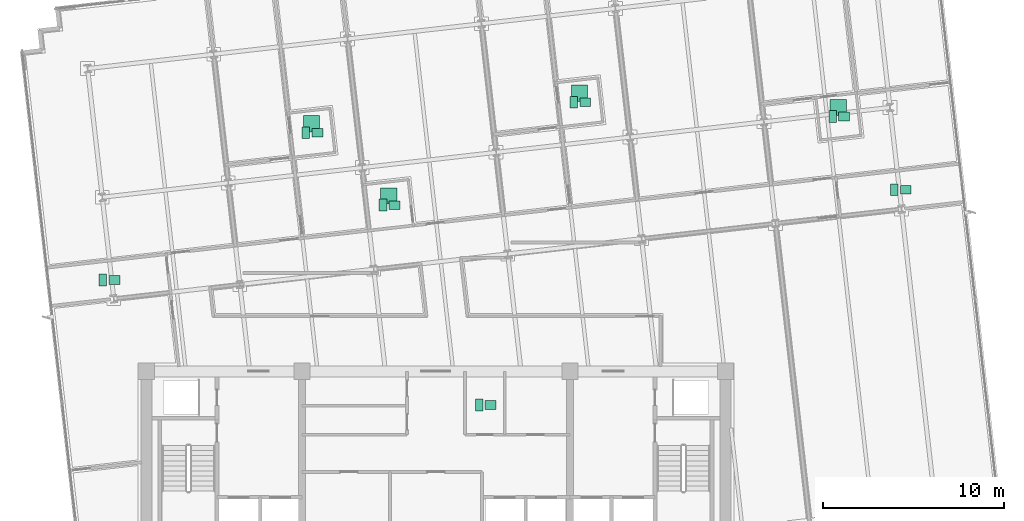
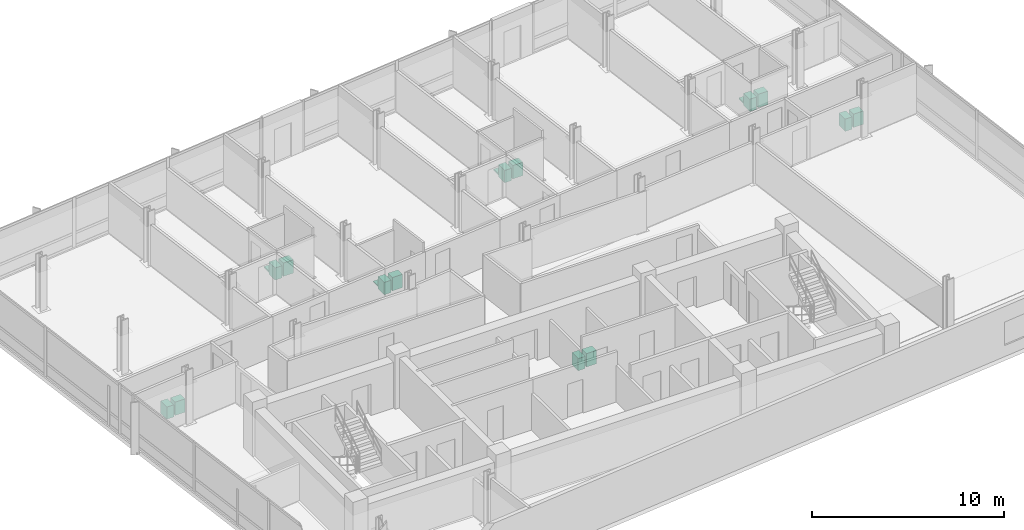
# One storey, part 16 of 16: 18 sanitary terminals.
"""IFC4 building model written with IfcOpenShell, lengths in metres."""

from ifc_helpers import new_model, si_unit, direction, frame, origin, origin_2d, place, context, subcontext, project, spatial, rectangle, extrude, material, type_object, element, save


model = new_model("IFC4")

# Units and contexts
model_context = context("Model", 3, precision=1e-05, world=origin(), true_north=direction((0.0, 1.0)))
body_context = subcontext(model_context, "Body", "Model", "MODEL_VIEW")
ifc_project = project(units=[si_unit("LENGTHUNIT", "METRE"), si_unit("AREAUNIT", "SQUARE_METRE"), si_unit("VOLUMEUNIT", "CUBIC_METRE"), si_unit("PLANEANGLEUNIT", "RADIAN"), si_unit("MASSUNIT", "GRAM", prefix="KILO")], contexts=[model_context])

# Site, building, storey
site_placement = place(None, origin())
site = spatial("IfcSite", under=ifc_project, at=site_placement, CompositionType="ELEMENT")
building_placement = place(site_placement, origin())
building = spatial("IfcBuilding", under=site, at=building_placement, Name="Solmavex Isthmus Hotel", CompositionType="ELEMENT")
storey_placement = place(building_placement, frame((0.0, 0.0, 205.5)))
storey = spatial("IfcBuildingStorey", under=building, at=storey_placement, Name="L55", CompositionType="ELEMENT", Elevation=205.5)

# Sanitary terminals
ifc_material = material(Name="Vitreous china ceramic", Category="ceramic")
sanitary_terminal_type_1 = type_object("IfcSanitaryTerminalType", Name="SAN-BASIN", PredefinedType="WASHHANDBASIN", material=ifc_material)
for number, where, z_axis, x_axis, name in (
    (1, (3.02001953125, -4.360107421875, 0.0), (0.0, 0.0, 1.0), (1.0, 0.0, 0.0), "Vanity Washbasin L55-264"),
    (2, (-6.552001953125, 10.676025390625, 0.0), (0.0, 0.0, 1.0), (1.0, 0.0, 0.0), "Vanity Washbasin L55-265"),
    (3, (-2.28662109375, 6.685302734375, 0.0), (0.0, 0.0, 1.0), (1.0, 0.0, 0.0), "Vanity Washbasin L55-266"),
    (4, (8.244140625, 12.36181640625, 0.0), (0.0, 0.0, 1.0), (1.0, 0.0, 0.0), "Vanity Washbasin L55-267"),
    (5, (22.551513671875, 11.576416015625, 0.0), (0.0, 0.0, 1.0), (1.0, 0.0, 0.0), "Vanity Washbasin L55-268"),
    (6, (-17.761474609375, 2.546875, 0.0), (0.0, 0.0, 1.0), (1.0, 0.0, 0.0), "Vanity Washbasin L55-269"),
    (7, (25.956787109375, 7.52783203125, 0.0), (0.0, 0.0, 1.0), (1.0, 0.0, 0.0), "Vanity Washbasin L55-270"),
):
    element("IfcSanitaryTerminal", number, at=place(storey_placement, frame(where, z_axis=z_axis, x_axis=x_axis)), inside=storey, type_object=sanitary_terminal_type_1, Name=name, PredefinedType="WASHHANDBASIN", context=body_context, shape_type="SweptSolid", body=[
        extrude(rectangle(XDim=0.60009765625, YDim=0.47998046875, at=origin_2d()), origin(), (0.0, 0.0, 1.0), 0.85009765625),
    ])
sanitary_terminal_type_2 = type_object("IfcSanitaryTerminalType", Name="SAN-SHOWER", PredefinedType="SHOWER", material=ifc_material)
for number, where, z_axis, x_axis, name in (
    (8, (-6.8720703125, 11.176025390625, 0.0), (0.0, 0.0, 1.0), (1.0, 0.0, 0.0), "Walk-In Shower L55-265"),
    (9, (-2.6064453125, 7.185302734375, 0.0), (0.0, 0.0, 1.0), (1.0, 0.0, 0.0), "Walk-In Shower L55-266"),
    (10, (7.924072265625, 12.86181640625, 0.0), (0.0, 0.0, 1.0), (1.0, 0.0, 0.0), "Walk-In Shower L55-267"),
    (11, (22.2314453125, 12.076416015625, 0.0), (0.0, 0.0, 1.0), (1.0, 0.0, 0.0), "Walk-In Shower L55-268"),
):
    element("IfcSanitaryTerminal", number, at=place(storey_placement, frame(where, z_axis=z_axis, x_axis=x_axis)), inside=storey, type_object=sanitary_terminal_type_2, Name=name, PredefinedType="SHOWER", context=body_context, shape_type="SweptSolid", body=[
        extrude(rectangle(XDim=0.89990234375, YDim=0.89990234375, at=origin_2d()), origin(), (0.0, 0.0, 1.0), 0.080078125),
    ])
sanitary_terminal_type_3 = type_object("IfcSanitaryTerminalType", Name="SAN-WC-SUITE", PredefinedType="TOILETPAN", material=ifc_material)
for number, where, z_axis, x_axis, name in (
    (12, (2.3798828125, -4.360107421875, 0.0), (0.0, 0.0, 1.0), (1.0, 0.0, 0.0), "Water Closet L55-264"),
    (13, (-7.192138671875, 10.676025390625, 0.0), (0.0, 0.0, 1.0), (1.0, 0.0, 0.0), "Water Closet L55-265"),
    (14, (-2.926513671875, 6.685302734375, 0.0), (0.0, 0.0, 1.0), (1.0, 0.0, 0.0), "Water Closet L55-266"),
    (15, (7.60400390625, 12.36181640625, 0.0), (0.0, 0.0, 1.0), (1.0, 0.0, 0.0), "Water Closet L55-267"),
    (16, (21.91162109375, 11.576416015625, 0.0), (0.0, 0.0, 1.0), (1.0, 0.0, 0.0), "Water Closet L55-268"),
    (17, (-18.401611328125, 2.546875, 0.0), (0.0, 0.0, 1.0), (1.0, 0.0, 0.0), "Water Closet L55-269"),
    (18, (25.316650390625, 7.52783203125, 0.0), (0.0, 0.0, 1.0), (1.0, 0.0, 0.0), "Water Closet L55-270"),
):
    element("IfcSanitaryTerminal", number, at=place(storey_placement, frame(where, z_axis=z_axis, x_axis=x_axis)), inside=storey, type_object=sanitary_terminal_type_3, Name=name, PredefinedType="TOILETPAN", context=body_context, shape_type="SweptSolid", body=[
        extrude(rectangle(XDim=0.419921875, YDim=0.64990234375, at=origin_2d()), origin(), (0.0, 0.0, 1.0), 0.780029296875),
    ])

save(model, "model.ifc")
